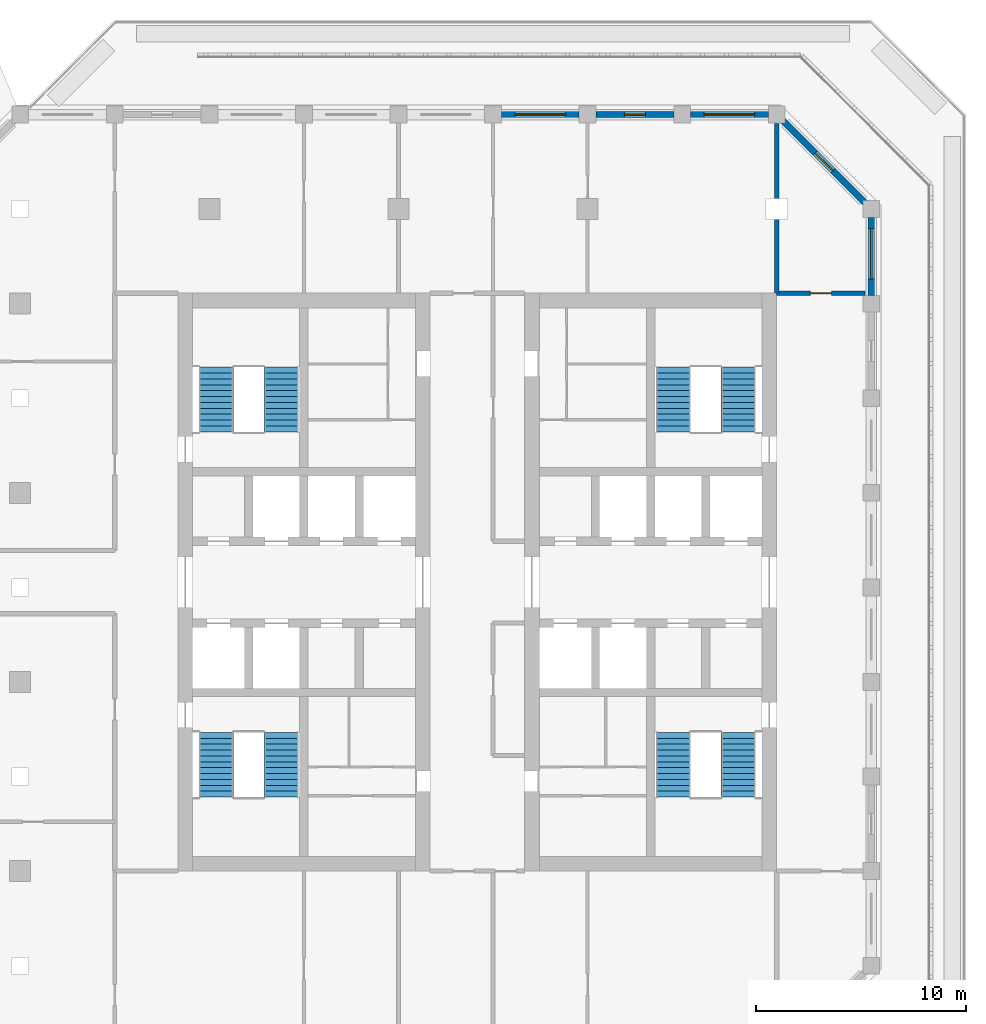
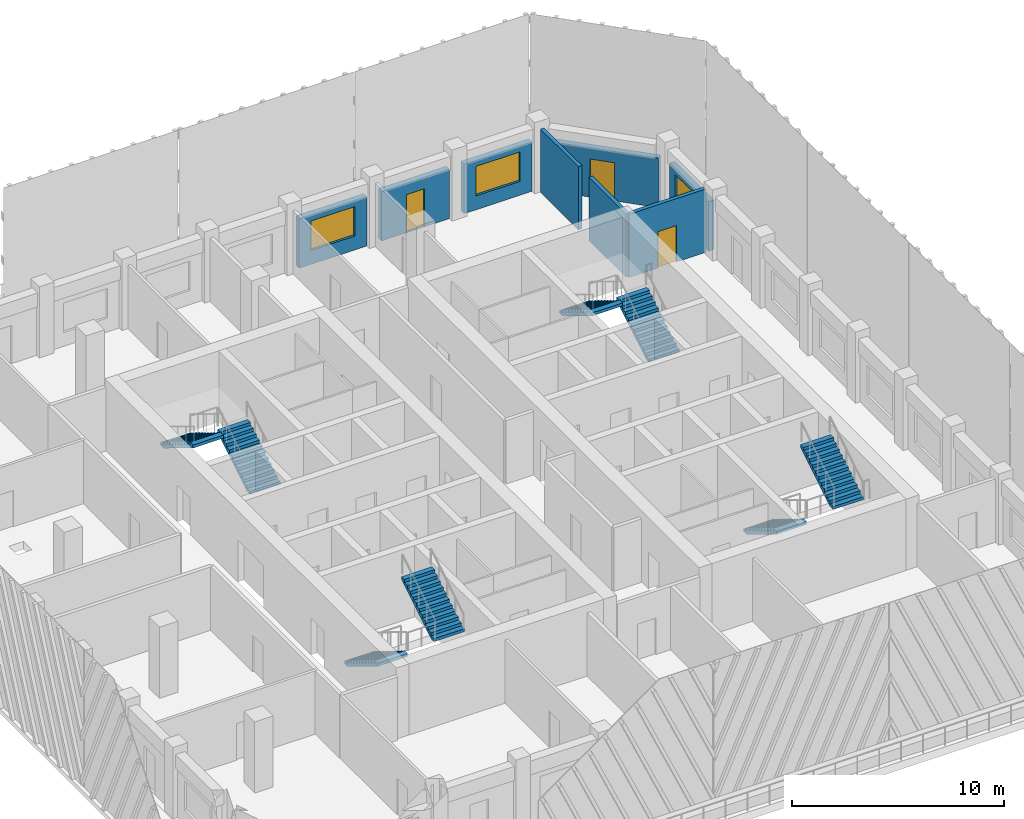
# One storey, part 7 of 14: 8 stair flights, 8 walls, 3 doors, 3 windows, 6 openings, 4 elements without a shape of their own.
"""IFC4 building model written with IfcOpenShell, lengths in metres."""

from ifc_helpers import new_model, si_unit, direction, frame, frame_2d, origin, place, context, subcontext, project, spatial, polyline, rectangle, outline, extrude, material, layer, layer_set, type_object, element, fill, aggregate, save


model = new_model("IFC4")

# Units and contexts
model_context = context("Model", 3, precision=1e-05, world=origin(), true_north=direction((0.0, 1.0)))
body_context = subcontext(model_context, "Body", "Model", "MODEL_VIEW")
ifc_project = project(units=[si_unit("LENGTHUNIT", "METRE"), si_unit("AREAUNIT", "SQUARE_METRE"), si_unit("VOLUMEUNIT", "CUBIC_METRE"), si_unit("PLANEANGLEUNIT", "RADIAN"), si_unit("MASSUNIT", "GRAM", prefix="KILO")], contexts=[model_context])

# Site, building, storey
site_placement = place(None, origin())
site = spatial("IfcSite", under=ifc_project, at=site_placement, CompositionType="ELEMENT")
building_placement = place(site_placement, origin())
building = spatial("IfcBuilding", under=site, at=building_placement, Name="Corbel Stack Research Tower", CompositionType="ELEMENT")
storey_placement = place(building_placement, frame((0.0, 0.0, 266.300048828125)))
storey = spatial("IfcBuildingStorey", under=building, at=storey_placement, Name="L60", CompositionType="ELEMENT", Elevation=266.300048828125)

# Walls
ifc_material_1 = material(Name="Fire-rated gypsum board partition on steel studs", Category="steel")
ifc_layer_1 = layer(ifc_material_1, 0.199951171875)
ifc_layer_set_1 = layer_set([ifc_layer_1], Name="Fire-rated gypsum board partition on steel studs")
wall_type_1 = type_object("IfcWallType", Name="Fire-rated partition 200 EI 60", PredefinedType="PARTITIONING", material=ifc_layer_set_1)
wall_1_placement = place(storey_placement, frame((18.0, 18.5, 0.0), z_axis=(0.0, 0.0, 1.0), x_axis=(0.0, 1.0, 0.0)))
element("IfcWall", 1, at=wall_1_placement, inside=storey, type_object=wall_type_1, Name="Partition L60-018", PredefinedType="PARTITIONING", context=body_context, shape_type="SweptSolid", body=[
    extrude(rectangle(XDim=3.5, YDim=0.199951171875, at=frame_2d((1.75, 0.0))), origin(), (0.0, 0.0, 1.0), 3.64990234375),
])
wall_2_placement = place(storey_placement, frame((18.0, 23.0, 0.0), z_axis=(0.0, 0.0, 1.0), x_axis=(0.0, 1.0, 0.0)))
element("IfcWall", 2, at=wall_2_placement, inside=storey, type_object=wall_type_1, Name="Partition L60-019", PredefinedType="PARTITIONING", context=body_context, shape_type="SweptSolid", body=[
    extrude(rectangle(XDim=3.5771484375, YDim=0.199951171875, at=frame_2d((1.78857421875, 0.0))), origin(), (0.0, 0.0, 1.0), 3.64990234375),
])

# Wall, opening, door
wall_3_placement = place(storey_placement, frame((18.0, 18.5, 0.0), z_axis=(0.0, 0.0, 1.0), x_axis=(1.0, 0.0, 0.0)))
wall_3 = element("IfcWall", 3, at=wall_3_placement, inside=storey, type_object=wall_type_1, Name="Partition L60-032", PredefinedType="PARTITIONING", context=body_context, shape_type="SweptSolid", body=[
    extrude(rectangle(XDim=4.200927734375, YDim=0.199951171875, at=frame_2d((2.1005859375, 0.0))), origin(), (0.0, 0.0, 1.0), 3.64990234375),
])
opening_1_placement = place(wall_3_placement, frame((1.60009765625, 0.0, 0.0)))
opening_1 = element("IfcOpeningElement", 4, at=opening_1_placement, cuts=wall_3, Name="Opening B8V0H-018", PredefinedType="OPENING", context=body_context, shape_type="SweptSolid", body=[
    extrude(rectangle(XDim=1.0, YDim=2.10009765625, at=frame_2d((0.5, 1.050048828125))), frame((0.0, 0.10986328125, 0.0), z_axis=(0.0, -1.0, 0.0), x_axis=(1.0, 0.0, 0.0)), (0.0, 0.0, 1.0), 0.219970703125),
])
ifc_material_2 = material(Name="Painted steel fire door", Category="steel")
door_type_1 = type_object("IfcDoorType", Name="Fire door FD30S 1000 x 2100", OperationType="NOTDEFINED", PredefinedType="DOOR", material=ifc_material_2)
door_1_placement = place(opening_1_placement, origin())
door_1 = element("IfcDoor", 5, at=door_1_placement, inside=storey, type_object=door_type_1, Name="Door B8V0H-018", OperationType="SINGLE_SWING_LEFT", OverallHeight=2.10009765625, OverallWidth=1.0, PredefinedType="DOOR", context=body_context, shape_type="SweptSolid", body=[
    extrude(rectangle(XDim=1.0, YDim=2.10009765625, at=frame_2d((0.5, 1.050048828125))), frame((0.0, 0.02490234375, 0.0), z_axis=(0.0, -1.0, 0.0), x_axis=(1.0, 0.0, 0.0)), (0.0, 0.0, 1.0), 0.050048828125),
])
fill(opening_1, door_1)

# Wall, opening, window
ifc_material_3 = material(Name="Concrete C45/55", Category="concrete")
ifc_layer_2 = layer(ifc_material_3, 0.300048828125)
ifc_layer_set_2 = layer_set([ifc_layer_2], Name="Concrete C45/55")
wall_type_2 = type_object("IfcWallType", Name="Terracotta-faced concrete wall 300", PredefinedType="SOLIDWALL", material=ifc_layer_set_2)
wall_4_placement = place(storey_placement, frame((22.5, 22.10009765625, 0.0), z_axis=(0.0, 0.0, 1.0), x_axis=(0.0, -1.0, 0.0)))
wall_4 = element("IfcWall", 6, at=wall_4_placement, inside=storey, type_object=wall_type_2, Name="Facade wall L60 E08", PredefinedType="SOLIDWALL", context=body_context, shape_type="SweptSolid", body=[
    extrude(rectangle(XDim=3.7001953125, YDim=0.300048828125, at=frame_2d((1.85009765625, 0.0))), origin(), (0.0, 0.0, 1.0), 2.849853515625),
])
opening_2_placement = place(wall_4_placement, frame((0.52490234375, 0.0, 0.800048828125)))
opening_2 = element("IfcOpeningElement", 7, at=opening_2_placement, cuts=wall_4, Name="Opening W1", PredefinedType="OPENING", context=body_context, shape_type="SweptSolid", body=[
    extrude(rectangle(XDim=2.39990234375, YDim=1.699951171875, at=frame_2d((1.199951171875, 0.85009765625))), frame((0.0, 0.159912109375, 0.0), z_axis=(0.0, -1.0, 0.0), x_axis=(1.0, 0.0, 0.0)), (0.0, 0.0, 1.0), 0.320068359375),
])
ifc_material_4 = material(Name="Aluminium frame, clear double glazing", Category="aluminium")
window_type = type_object("IfcWindowType", Name="Window W1 2400 x 1700", PartitioningType="SINGLE_PANEL", PredefinedType="WINDOW", material=ifc_material_4)
window_1_placement = place(opening_2_placement, origin())
window_1 = element("IfcWindow", 8, at=window_1_placement, inside=storey, type_object=window_type, Name="Window W1 L60 E08", OverallHeight=1.699951171875, OverallWidth=2.39990234375, PartitioningType="SINGLE_PANEL", PredefinedType="WINDOW", context=body_context, shape_type="SweptSolid", body=[
    extrude(rectangle(XDim=2.39990234375, YDim=1.699951171875, at=frame_2d((1.199951171875, 0.85009765625))), frame((0.0, 0.030029296875, 0.0), z_axis=(0.0, -1.0, 0.0), x_axis=(1.0, 0.0, 0.0)), (0.0, 0.0, 1.0), 0.06005859375),
])
fill(opening_2, window_1)

# Wall, opening, door
wall_5_placement = place(storey_placement, frame((18.2939453125, 26.7060546875, 0.0), z_axis=(0.0, 0.0, 1.0), x_axis=(0.707106781187, -0.707106781187, 0.0)))
wall_5 = element("IfcWall", 9, at=wall_5_placement, inside=storey, type_object=wall_type_2, Name="Facade wall L60 NE01", PredefinedType="SOLIDWALL", context=body_context, shape_type="SweptSolid", body=[
    extrude(rectangle(XDim=5.532470703125, YDim=0.300048828125, at=frame_2d((2.76611328125, 0.0))), origin(), (0.0, 0.0, 1.0), 2.849853515625),
])
opening_3_placement = place(wall_5_placement, frame((2.166259765625, 0.0, 0.0)))
opening_3 = element("IfcOpeningElement", 10, at=opening_3_placement, cuts=wall_5, Name="Opening L60-B06", PredefinedType="OPENING", context=body_context, shape_type="SweptSolid", body=[
    extrude(rectangle(XDim=1.199951171875, YDim=2.199951171875, at=frame_2d((0.60009765625, 1.10009765625))), frame((0.0, 0.159912109375, 0.0), z_axis=(0.0, -1.0, 0.0), x_axis=(1.0, 0.0, 0.0)), (0.0, 0.0, 1.0), 0.320068359375),
])
ifc_material_5 = material(Name="Aluminium frame, clear double glazing", Category="aluminium")
door_type_2 = type_object("IfcDoorType", Name="Balcony door BD2 1200 x 2200", OperationType="NOTDEFINED", PredefinedType="DOOR", material=ifc_material_5)
door_2_placement = place(opening_3_placement, origin())
door_2 = element("IfcDoor", 11, at=door_2_placement, inside=storey, type_object=door_type_2, Name="Balcony door L60-B06", OperationType="SINGLE_SWING_LEFT", OverallHeight=2.199951171875, OverallWidth=1.199951171875, PredefinedType="DOOR", context=body_context, shape_type="SweptSolid", body=[
    extrude(rectangle(XDim=1.199951171875, YDim=2.199951171875, at=frame_2d((0.60009765625, 1.10009765625))), frame((0.0, 0.02490234375, 0.0), z_axis=(0.0, -1.0, 0.0), x_axis=(1.0, 0.0, 0.0)), (0.0, 0.0, 1.0), 0.050048828125),
])
fill(opening_3, door_2)

# Wall, opening, window
wall_6_placement = place(storey_placement, frame((13.89990234375, 27.0, 0.0), z_axis=(0.0, 0.0, 1.0), x_axis=(1.0, 0.0, 0.0)))
wall_6 = element("IfcWall", 12, at=wall_6_placement, inside=storey, type_object=wall_type_2, Name="Facade wall L60 N01", PredefinedType="SOLIDWALL", context=body_context, shape_type="SweptSolid", body=[
    extrude(rectangle(XDim=3.7001953125, YDim=0.300048828125, at=frame_2d((1.85009765625, 0.0))), origin(), (0.0, 0.0, 1.0), 2.849853515625),
])
opening_4_placement = place(wall_6_placement, frame((0.64990234375, 0.0, 0.800048828125)))
opening_4 = element("IfcOpeningElement", 13, at=opening_4_placement, cuts=wall_6, Name="Opening W1", PredefinedType="OPENING", context=body_context, shape_type="SweptSolid", body=[
    extrude(rectangle(XDim=2.39990234375, YDim=1.699951171875, at=frame_2d((1.199951171875, 0.85009765625))), frame((0.0, 0.159912109375, 0.0), z_axis=(0.0, -1.0, 0.0), x_axis=(1.0, 0.0, 0.0)), (0.0, 0.0, 1.0), 0.320068359375),
])
window_2_placement = place(opening_4_placement, origin())
window_2 = element("IfcWindow", 14, at=window_2_placement, inside=storey, type_object=window_type, Name="Window W1 L60 N01", OverallHeight=1.699951171875, OverallWidth=2.39990234375, PartitioningType="SINGLE_PANEL", PredefinedType="WINDOW", context=body_context, shape_type="SweptSolid", body=[
    extrude(rectangle(XDim=2.39990234375, YDim=1.699951171875, at=frame_2d((1.199951171875, 0.85009765625))), frame((0.0, 0.030029296875, 0.0), z_axis=(0.0, -1.0, 0.0), x_axis=(1.0, 0.0, 0.0)), (0.0, 0.0, 1.0), 0.06005859375),
])
fill(opening_4, window_2)

# Wall, opening, door
wall_7_placement = place(storey_placement, frame((9.39990234375, 27.0, 0.0), z_axis=(0.0, 0.0, 1.0), x_axis=(1.0, 0.0, 0.0)))
wall_7 = element("IfcWall", 15, at=wall_7_placement, inside=storey, type_object=wall_type_2, Name="Facade wall L60 N02", PredefinedType="SOLIDWALL", context=body_context, shape_type="SweptSolid", body=[
    extrude(rectangle(XDim=3.7001953125, YDim=0.300048828125, at=frame_2d((1.85009765625, 0.0))), origin(), (0.0, 0.0, 1.0), 2.849853515625),
])
opening_5_placement = place(wall_7_placement, frame((1.35009765625, 0.0, 0.0)))
opening_5 = element("IfcOpeningElement", 16, at=opening_5_placement, cuts=wall_7, Name="Opening L60-B07", PredefinedType="OPENING", context=body_context, shape_type="SweptSolid", body=[
    extrude(rectangle(XDim=1.0, YDim=2.199951171875, at=frame_2d((0.5, 1.10009765625))), frame((0.0, 0.159912109375, 0.0), z_axis=(0.0, -1.0, 0.0), x_axis=(1.0, 0.0, 0.0)), (0.0, 0.0, 1.0), 0.320068359375),
])
ifc_material_6 = material(Name="Aluminium frame, clear double glazing", Category="aluminium")
door_type_3 = type_object("IfcDoorType", Name="Balcony door BD1 1000 x 2200", OperationType="NOTDEFINED", PredefinedType="DOOR", material=ifc_material_6)
door_3_placement = place(opening_5_placement, origin())
door_3 = element("IfcDoor", 17, at=door_3_placement, inside=storey, type_object=door_type_3, Name="Balcony door L60-B07", OperationType="SINGLE_SWING_RIGHT", OverallHeight=2.199951171875, OverallWidth=1.0, PredefinedType="DOOR", context=body_context, shape_type="SweptSolid", body=[
    extrude(rectangle(XDim=1.0, YDim=2.199951171875, at=frame_2d((0.5, 1.10009765625))), frame((0.0, 0.02490234375, 0.0), z_axis=(0.0, -1.0, 0.0), x_axis=(1.0, 0.0, 0.0)), (0.0, 0.0, 1.0), 0.050048828125),
])
fill(opening_5, door_3)

# Wall, opening, window
wall_8_placement = place(storey_placement, frame((4.89990234375, 27.0, 0.0), z_axis=(0.0, 0.0, 1.0), x_axis=(1.0, 0.0, 0.0)))
wall_8 = element("IfcWall", 18, at=wall_8_placement, inside=storey, type_object=wall_type_2, Name="Facade wall L60 N03", PredefinedType="SOLIDWALL", context=body_context, shape_type="SweptSolid", body=[
    extrude(rectangle(XDim=3.7001953125, YDim=0.300048828125, at=frame_2d((1.85009765625, 0.0))), origin(), (0.0, 0.0, 1.0), 2.849853515625),
])
opening_6_placement = place(wall_8_placement, frame((0.64990234375, 0.0, 0.800048828125)))
opening_6 = element("IfcOpeningElement", 19, at=opening_6_placement, cuts=wall_8, Name="Opening W1", PredefinedType="OPENING", context=body_context, shape_type="SweptSolid", body=[
    extrude(rectangle(XDim=2.39990234375, YDim=1.699951171875, at=frame_2d((1.199951171875, 0.85009765625))), frame((0.0, 0.159912109375, 0.0), z_axis=(0.0, -1.0, 0.0), x_axis=(1.0, 0.0, 0.0)), (0.0, 0.0, 1.0), 0.320068359375),
])
window_3_placement = place(opening_6_placement, origin())
window_3 = element("IfcWindow", 20, at=window_3_placement, inside=storey, type_object=window_type, Name="Window W1 L60 N03", OverallHeight=1.699951171875, OverallWidth=2.39990234375, PartitioningType="SINGLE_PANEL", PredefinedType="WINDOW", context=body_context, shape_type="SweptSolid", body=[
    extrude(rectangle(XDim=2.39990234375, YDim=1.699951171875, at=frame_2d((1.199951171875, 0.85009765625))), frame((0.0, 0.030029296875, 0.0), z_axis=(0.0, -1.0, 0.0), x_axis=(1.0, 0.0, 0.0)), (0.0, 0.0, 1.0), 0.06005859375),
])
fill(opening_6, window_3)

# Stair, stair flights
ifc_material_7 = material(Name="Concrete C40/50", Category="concrete")
stair_type = type_object("IfcStairType", Name="Exit stair 24 risers", PredefinedType="HALF_TURN_STAIR", material=ifc_material_7)
stair_1_placement = place(storey_placement, origin())
stair_1 = element("IfcStair", 21, at=stair_1_placement, inside=storey, type_object=stair_type, Name="L60 Exit stair ST-W1", PredefinedType="HALF_TURN_STAIR")
ifc_material_8 = material(Name="Concrete C40/50", Category="concrete")
stair_flight_type = type_object("IfcStairFlightType", Name="Stair flight 12 risers", PredefinedType="STRAIGHT", material=ifc_material_8)
stair_flight_1_placement = place(storey_placement, frame((-8.675048828125, -2.39990234375, 0.0), z_axis=(0.0, 0.0, 1.0), x_axis=(0.0, -1.0, 0.0)))
stair_flight_1 = element("IfcStairFlight", 22, at=stair_flight_1_placement, type_object=stair_flight_type, Name="ST-W1 flight 1", NumberOfRisers=12, NumberOfTreads=11, PredefinedType="STRAIGHT", RiserHeight=0.170833333, TreadLength=0.28, context=body_context, shape_type="SweptSolid", body=[
    extrude(outline(polyline([(0.0, 0.0), (0.0, 0.1708984375), (0.280029296875, 0.1708984375), (0.280029296875, 0.341552734375), (0.56005859375, 0.341552734375), (0.56005859375, 0.512451171875), (0.840087890625, 0.512451171875), (0.840087890625, 0.683349609375), (1.1201171875, 0.683349609375), (1.1201171875, 0.854248046875), (1.39990234375, 0.854248046875), (1.39990234375, 1.02490234375), (1.679931640625, 1.02490234375), (1.679931640625, 1.19580078125), (1.9599609375, 1.19580078125), (1.9599609375, 1.36669921875), (2.239990234375, 1.36669921875), (2.239990234375, 1.53759765625), (2.52001953125, 1.53759765625), (2.52001953125, 1.708251953125), (2.800048828125, 1.708251953125), (2.800048828125, 1.879150390625), (3.080078125, 1.879150390625), (3.080078125, 2.050048828125), (3.080078125, 1.70361328125), (0.287841796875, 0.0), (0.0, 0.0)])), frame((0.0, 0.824951171875, 0.0), z_axis=(0.0, -1.0, 0.0), x_axis=(1.0, 0.0, 0.0)), (0.0, 0.0, 1.0), 1.64990234375),
])
stair_flight_2_placement = place(storey_placement, frame((-5.574951171875, -5.47998046875, 2.050048828125), z_axis=(0.0, 0.0, 1.0), x_axis=(0.0, 1.0, 0.0)))
stair_flight_2 = element("IfcStairFlight", 23, at=stair_flight_2_placement, type_object=stair_flight_type, Name="ST-W1 flight 2", NumberOfRisers=12, NumberOfTreads=11, PredefinedType="STRAIGHT", RiserHeight=0.170833333, TreadLength=0.28, context=body_context, shape_type="SweptSolid", body=[
    extrude(outline(polyline([(0.0, 0.0), (0.0, 0.1708984375), (0.280029296875, 0.1708984375), (0.280029296875, 0.341552734375), (0.56005859375, 0.341552734375), (0.56005859375, 0.512451171875), (0.840087890625, 0.512451171875), (0.840087890625, 0.683349609375), (1.1201171875, 0.683349609375), (1.1201171875, 0.854248046875), (1.39990234375, 0.854248046875), (1.39990234375, 1.02490234375), (1.679931640625, 1.02490234375), (1.679931640625, 1.19580078125), (1.9599609375, 1.19580078125), (1.9599609375, 1.36669921875), (2.239990234375, 1.36669921875), (2.239990234375, 1.53759765625), (2.52001953125, 1.53759765625), (2.52001953125, 1.708251953125), (2.800048828125, 1.708251953125), (2.800048828125, 1.879150390625), (3.080078125, 1.879150390625), (3.080078125, 2.050048828125), (3.080078125, 1.70361328125), (0.287841796875, 0.0), (0.0, 0.0)])), frame((0.0, 0.824951171875, 0.0), z_axis=(0.0, -1.0, 0.0), x_axis=(1.0, 0.0, 0.0)), (0.0, 0.0, 1.0), 1.64990234375),
])
aggregate(stair_1, [stair_flight_1, stair_flight_2])

stair_2_placement = place(storey_placement, origin())
stair_2 = element("IfcStair", 24, at=stair_2_placement, inside=storey, type_object=stair_type, Name="L60 Exit stair ST-W2", PredefinedType="HALF_TURN_STAIR")
stair_flight_3_placement = place(storey_placement, frame((-5.574951171875, 11.89990234375, 0.0), z_axis=(0.0, 0.0, 1.0), x_axis=(0.0, 1.0, 0.0)))
stair_flight_3 = element("IfcStairFlight", 25, at=stair_flight_3_placement, type_object=stair_flight_type, Name="ST-W2 flight 1", NumberOfRisers=12, NumberOfTreads=11, PredefinedType="STRAIGHT", RiserHeight=0.170833333, TreadLength=0.28, context=body_context, shape_type="SweptSolid", body=[
    extrude(outline(polyline([(0.0, 0.0), (0.0, 0.1708984375), (0.280029296875, 0.1708984375), (0.280029296875, 0.341552734375), (0.56005859375, 0.341552734375), (0.56005859375, 0.512451171875), (0.840087890625, 0.512451171875), (0.840087890625, 0.683349609375), (1.1201171875, 0.683349609375), (1.1201171875, 0.854248046875), (1.39990234375, 0.854248046875), (1.39990234375, 1.02490234375), (1.679931640625, 1.02490234375), (1.679931640625, 1.19580078125), (1.9599609375, 1.19580078125), (1.9599609375, 1.36669921875), (2.239990234375, 1.36669921875), (2.239990234375, 1.53759765625), (2.52001953125, 1.53759765625), (2.52001953125, 1.708251953125), (2.800048828125, 1.708251953125), (2.800048828125, 1.879150390625), (3.080078125, 1.879150390625), (3.080078125, 2.050048828125), (3.080078125, 1.70361328125), (0.287841796875, 0.0), (0.0, 0.0)])), frame((0.0, 0.824951171875, 0.0), z_axis=(0.0, -1.0, 0.0), x_axis=(1.0, 0.0, 0.0)), (0.0, 0.0, 1.0), 1.64990234375),
])
stair_flight_4_placement = place(storey_placement, frame((-8.675048828125, 14.97998046875, 2.050048828125), z_axis=(0.0, 0.0, 1.0), x_axis=(0.0, -1.0, 0.0)))
stair_flight_4 = element("IfcStairFlight", 26, at=stair_flight_4_placement, type_object=stair_flight_type, Name="ST-W2 flight 2", NumberOfRisers=12, NumberOfTreads=11, PredefinedType="STRAIGHT", RiserHeight=0.170833333, TreadLength=0.28, context=body_context, shape_type="SweptSolid", body=[
    extrude(outline(polyline([(0.0, 0.0), (0.0, 0.1708984375), (0.280029296875, 0.1708984375), (0.280029296875, 0.341552734375), (0.56005859375, 0.341552734375), (0.56005859375, 0.512451171875), (0.840087890625, 0.512451171875), (0.840087890625, 0.683349609375), (1.1201171875, 0.683349609375), (1.1201171875, 0.854248046875), (1.39990234375, 0.854248046875), (1.39990234375, 1.02490234375), (1.679931640625, 1.02490234375), (1.679931640625, 1.19580078125), (1.9599609375, 1.19580078125), (1.9599609375, 1.36669921875), (2.239990234375, 1.36669921875), (2.239990234375, 1.53759765625), (2.52001953125, 1.53759765625), (2.52001953125, 1.708251953125), (2.800048828125, 1.708251953125), (2.800048828125, 1.879150390625), (3.080078125, 1.879150390625), (3.080078125, 2.050048828125), (3.080078125, 1.70361328125), (0.287841796875, 0.0), (0.0, 0.0)])), frame((0.0, 0.824951171875, 0.0), z_axis=(0.0, -1.0, 0.0), x_axis=(1.0, 0.0, 0.0)), (0.0, 0.0, 1.0), 1.64990234375),
])
aggregate(stair_2, [stair_flight_3, stair_flight_4])

stair_3_placement = place(storey_placement, origin())
stair_3 = element("IfcStair", 27, at=stair_3_placement, inside=storey, type_object=stair_type, Name="L60 Exit stair ST-E1", PredefinedType="HALF_TURN_STAIR")
stair_flight_5_placement = place(storey_placement, frame((13.074951171875, -2.39990234375, 0.0), z_axis=(0.0, 0.0, 1.0), x_axis=(0.0, -1.0, 0.0)))
stair_flight_5 = element("IfcStairFlight", 28, at=stair_flight_5_placement, type_object=stair_flight_type, Name="ST-E1 flight 1", NumberOfRisers=12, NumberOfTreads=11, PredefinedType="STRAIGHT", RiserHeight=0.170833333, TreadLength=0.28, context=body_context, shape_type="SweptSolid", body=[
    extrude(outline(polyline([(0.0, 0.0), (0.0, 0.1708984375), (0.280029296875, 0.1708984375), (0.280029296875, 0.341552734375), (0.56005859375, 0.341552734375), (0.56005859375, 0.512451171875), (0.840087890625, 0.512451171875), (0.840087890625, 0.683349609375), (1.1201171875, 0.683349609375), (1.1201171875, 0.854248046875), (1.39990234375, 0.854248046875), (1.39990234375, 1.02490234375), (1.679931640625, 1.02490234375), (1.679931640625, 1.19580078125), (1.9599609375, 1.19580078125), (1.9599609375, 1.36669921875), (2.239990234375, 1.36669921875), (2.239990234375, 1.53759765625), (2.52001953125, 1.53759765625), (2.52001953125, 1.708251953125), (2.800048828125, 1.708251953125), (2.800048828125, 1.879150390625), (3.080078125, 1.879150390625), (3.080078125, 2.050048828125), (3.080078125, 1.70361328125), (0.287841796875, 0.0), (0.0, 0.0)])), frame((0.0, 0.824951171875, 0.0), z_axis=(0.0, -1.0, 0.0), x_axis=(1.0, 0.0, 0.0)), (0.0, 0.0, 1.0), 1.64990234375),
])
stair_flight_6_placement = place(storey_placement, frame((16.175048828125, -5.47998046875, 2.050048828125), z_axis=(0.0, 0.0, 1.0), x_axis=(0.0, 1.0, 0.0)))
stair_flight_6 = element("IfcStairFlight", 29, at=stair_flight_6_placement, type_object=stair_flight_type, Name="ST-E1 flight 2", NumberOfRisers=12, NumberOfTreads=11, PredefinedType="STRAIGHT", RiserHeight=0.170833333, TreadLength=0.28, context=body_context, shape_type="SweptSolid", body=[
    extrude(outline(polyline([(0.0, 0.0), (0.0, 0.1708984375), (0.280029296875, 0.1708984375), (0.280029296875, 0.341552734375), (0.56005859375, 0.341552734375), (0.56005859375, 0.512451171875), (0.840087890625, 0.512451171875), (0.840087890625, 0.683349609375), (1.1201171875, 0.683349609375), (1.1201171875, 0.854248046875), (1.39990234375, 0.854248046875), (1.39990234375, 1.02490234375), (1.679931640625, 1.02490234375), (1.679931640625, 1.19580078125), (1.9599609375, 1.19580078125), (1.9599609375, 1.36669921875), (2.239990234375, 1.36669921875), (2.239990234375, 1.53759765625), (2.52001953125, 1.53759765625), (2.52001953125, 1.708251953125), (2.800048828125, 1.708251953125), (2.800048828125, 1.879150390625), (3.080078125, 1.879150390625), (3.080078125, 2.050048828125), (3.080078125, 1.70361328125), (0.287841796875, 0.0), (0.0, 0.0)])), frame((0.0, 0.824951171875, 0.0), z_axis=(0.0, -1.0, 0.0), x_axis=(1.0, 0.0, 0.0)), (0.0, 0.0, 1.0), 1.64990234375),
])
aggregate(stair_3, [stair_flight_5, stair_flight_6])

stair_4_placement = place(storey_placement, origin())
stair_4 = element("IfcStair", 30, at=stair_4_placement, inside=storey, type_object=stair_type, Name="L60 Exit stair ST-E2", PredefinedType="HALF_TURN_STAIR")
stair_flight_7_placement = place(storey_placement, frame((16.175048828125, 11.89990234375, 0.0), z_axis=(0.0, 0.0, 1.0), x_axis=(0.0, 1.0, 0.0)))
stair_flight_7 = element("IfcStairFlight", 31, at=stair_flight_7_placement, type_object=stair_flight_type, Name="ST-E2 flight 1", NumberOfRisers=12, NumberOfTreads=11, PredefinedType="STRAIGHT", RiserHeight=0.170833333, TreadLength=0.28, context=body_context, shape_type="SweptSolid", body=[
    extrude(outline(polyline([(0.0, 0.0), (0.0, 0.1708984375), (0.280029296875, 0.1708984375), (0.280029296875, 0.341552734375), (0.56005859375, 0.341552734375), (0.56005859375, 0.512451171875), (0.840087890625, 0.512451171875), (0.840087890625, 0.683349609375), (1.1201171875, 0.683349609375), (1.1201171875, 0.854248046875), (1.39990234375, 0.854248046875), (1.39990234375, 1.02490234375), (1.679931640625, 1.02490234375), (1.679931640625, 1.19580078125), (1.9599609375, 1.19580078125), (1.9599609375, 1.36669921875), (2.239990234375, 1.36669921875), (2.239990234375, 1.53759765625), (2.52001953125, 1.53759765625), (2.52001953125, 1.708251953125), (2.800048828125, 1.708251953125), (2.800048828125, 1.879150390625), (3.080078125, 1.879150390625), (3.080078125, 2.050048828125), (3.080078125, 1.70361328125), (0.287841796875, 0.0), (0.0, 0.0)])), frame((0.0, 0.824951171875, 0.0), z_axis=(0.0, -1.0, 0.0), x_axis=(1.0, 0.0, 0.0)), (0.0, 0.0, 1.0), 1.64990234375),
])
stair_flight_8_placement = place(storey_placement, frame((13.074951171875, 14.97998046875, 2.050048828125), z_axis=(0.0, 0.0, 1.0), x_axis=(0.0, -1.0, 0.0)))
stair_flight_8 = element("IfcStairFlight", 32, at=stair_flight_8_placement, type_object=stair_flight_type, Name="ST-E2 flight 2", NumberOfRisers=12, NumberOfTreads=11, PredefinedType="STRAIGHT", RiserHeight=0.170833333, TreadLength=0.28, context=body_context, shape_type="SweptSolid", body=[
    extrude(outline(polyline([(0.0, 0.0), (0.0, 0.1708984375), (0.280029296875, 0.1708984375), (0.280029296875, 0.341552734375), (0.56005859375, 0.341552734375), (0.56005859375, 0.512451171875), (0.840087890625, 0.512451171875), (0.840087890625, 0.683349609375), (1.1201171875, 0.683349609375), (1.1201171875, 0.854248046875), (1.39990234375, 0.854248046875), (1.39990234375, 1.02490234375), (1.679931640625, 1.02490234375), (1.679931640625, 1.19580078125), (1.9599609375, 1.19580078125), (1.9599609375, 1.36669921875), (2.239990234375, 1.36669921875), (2.239990234375, 1.53759765625), (2.52001953125, 1.53759765625), (2.52001953125, 1.708251953125), (2.800048828125, 1.708251953125), (2.800048828125, 1.879150390625), (3.080078125, 1.879150390625), (3.080078125, 2.050048828125), (3.080078125, 1.70361328125), (0.287841796875, 0.0), (0.0, 0.0)])), frame((0.0, 0.824951171875, 0.0), z_axis=(0.0, -1.0, 0.0), x_axis=(1.0, 0.0, 0.0)), (0.0, 0.0, 1.0), 1.64990234375),
])
aggregate(stair_4, [stair_flight_7, stair_flight_8])

save(model, "model.ifc")
